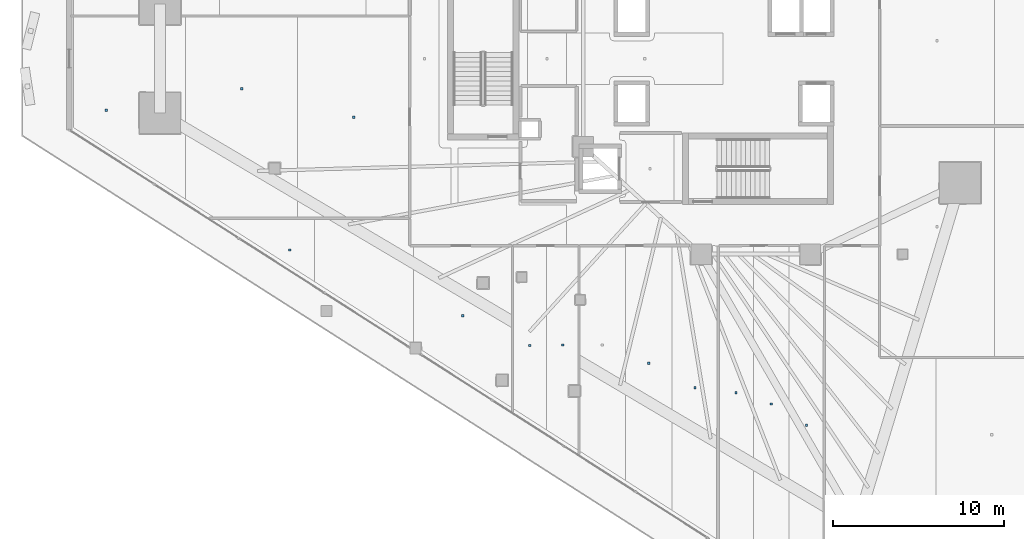
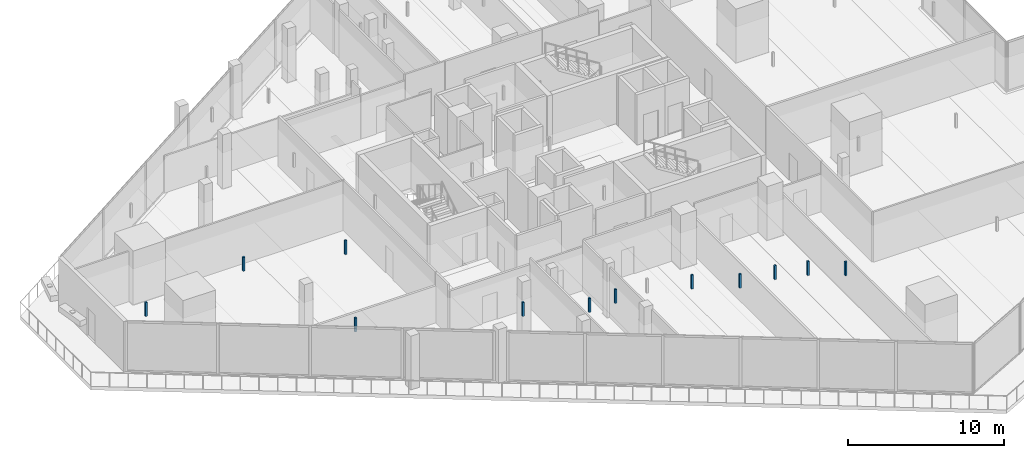
# One storey, part 31 of 44: 12 discrete accessories.
"""IFC4 building model written with IfcOpenShell, lengths in metres."""

from ifc_helpers import new_model, si_unit, direction, frame, origin, origin_2d, place, context, subcontext, project, spatial, rectangle, extrude, material, type_object, element, save


model = new_model("IFC4")

# Units and contexts
model_context = context("Model", 3, precision=1e-05, world=origin(), true_north=direction((0.0, 1.0)))
body_context = subcontext(model_context, "Body", "Model", "MODEL_VIEW")
ifc_project = project(units=[si_unit("LENGTHUNIT", "METRE"), si_unit("AREAUNIT", "SQUARE_METRE"), si_unit("VOLUMEUNIT", "CUBIC_METRE"), si_unit("PLANEANGLEUNIT", "RADIAN"), si_unit("MASSUNIT", "GRAM", prefix="KILO")], contexts=[model_context])

# Site, building, storey
site_placement = place(None, origin())
site = spatial("IfcSite", under=ifc_project, at=site_placement, CompositionType="ELEMENT")
building_placement = place(site_placement, origin())
building = spatial("IfcBuilding", under=site, at=building_placement, Name="Qorvath Tower", CompositionType="ELEMENT")
storey_placement = place(building_placement, frame((0.0, 0.0, 45.0)))
storey = spatial("IfcBuildingStorey", under=building, at=storey_placement, Name="L09", CompositionType="ELEMENT", Elevation=45.0)

# Discrete accessories
ifc_material = material(Name="Galvanised steel bracket", Category="steel")
discrete_accessory_type = type_object("IfcDiscreteAccessoryType", Name="DA-BRACKET", PredefinedType="BRACKET", material=ifc_material)
for number, where, z_axis, x_axis, name in (
    (1, (-33.64208984375, -16.795166015625, 2.860107421875), (0.0, 0.0, 1.0), (1.0, 0.0, 0.0), "Acoustic Ceiling Suspension Hanger T1-L09-022"),
    (2, (-31.700927734375, -16.767333984375, 2.860107421875), (0.0, 0.0, 1.0), (1.0, 0.0, 0.0), "Acoustic Ceiling Suspension Hanger T1-L09-023"),
    (3, (-26.669921875, -17.82568359375, 2.860107421875), (0.0, 0.0, 1.0), (1.0, 0.0, 0.0), "Acoustic Ceiling Suspension Hanger T1-L09-025"),
    (4, (-23.957763671875, -19.275146484375, 2.860107421875), (0.0, 0.0, 1.0), (1.0, 0.0, 0.0), "Acoustic Ceiling Suspension Hanger T1-L09-026"),
    (5, (-21.55517578125, -19.5634765625, 2.860107421875), (0.0, 0.0, 1.0), (1.0, 0.0, 0.0), "Acoustic Ceiling Suspension Hanger T1-L09-027"),
    (6, (-19.489013671875, -20.223388671875, 2.860107421875), (0.0, 0.0, 1.0), (1.0, 0.0, 0.0), "Acoustic Ceiling Suspension Hanger T1-L09-028"),
    (7, (-17.422607421875, -21.466796875, 2.860107421875), (0.0, 0.0, 1.0), (1.0, 0.0, 0.0), "Acoustic Ceiling Suspension Hanger T1-L09-029"),
    (8, (-47.684326171875, -11.2041015625, 2.860107421875), (0.0, 0.0, 1.0), (1.0, 0.0, 0.0), "Acoustic Ceiling Suspension Hanger T1-L09-039"),
    (9, (-37.556640625, -15.054443359375, 2.860107421875), (0.0, 0.0, 1.0), (1.0, 0.0, 0.0), "Acoustic Ceiling Suspension Hanger T1-L09-041"),
    (10, (-58.440673828125, -3.015380859375, 2.860107421875), (0.0, 0.0, 1.0), (1.0, 0.0, 0.0), "Acoustic Ceiling Suspension Hanger T1-L09-042"),
    (11, (-50.50439453125, -1.7724609375, 2.860107421875), (0.0, 0.0, 1.0), (1.0, 0.0, 0.0), "Acoustic Ceiling Suspension Hanger T1-L09-043"),
    (12, (-43.943603515625, -3.421142578125, 2.860107421875), (0.0, 0.0, 1.0), (1.0, 0.0, 0.0), "Acoustic Ceiling Suspension Hanger T1-L09-044"),
):
    element("IfcDiscreteAccessory", number, at=place(storey_placement, frame(where, z_axis=z_axis, x_axis=x_axis)), inside=storey, type_object=discrete_accessory_type, Name=name, PredefinedType="NOTDEFINED", context=body_context, shape_type="SweptSolid", body=[
        extrude(rectangle(XDim=0.139892578125, YDim=0.139892578125, at=origin_2d()), origin(), (0.0, 0.0, 1.0), 1.08984375),
    ])

save(model, "model.ifc")
